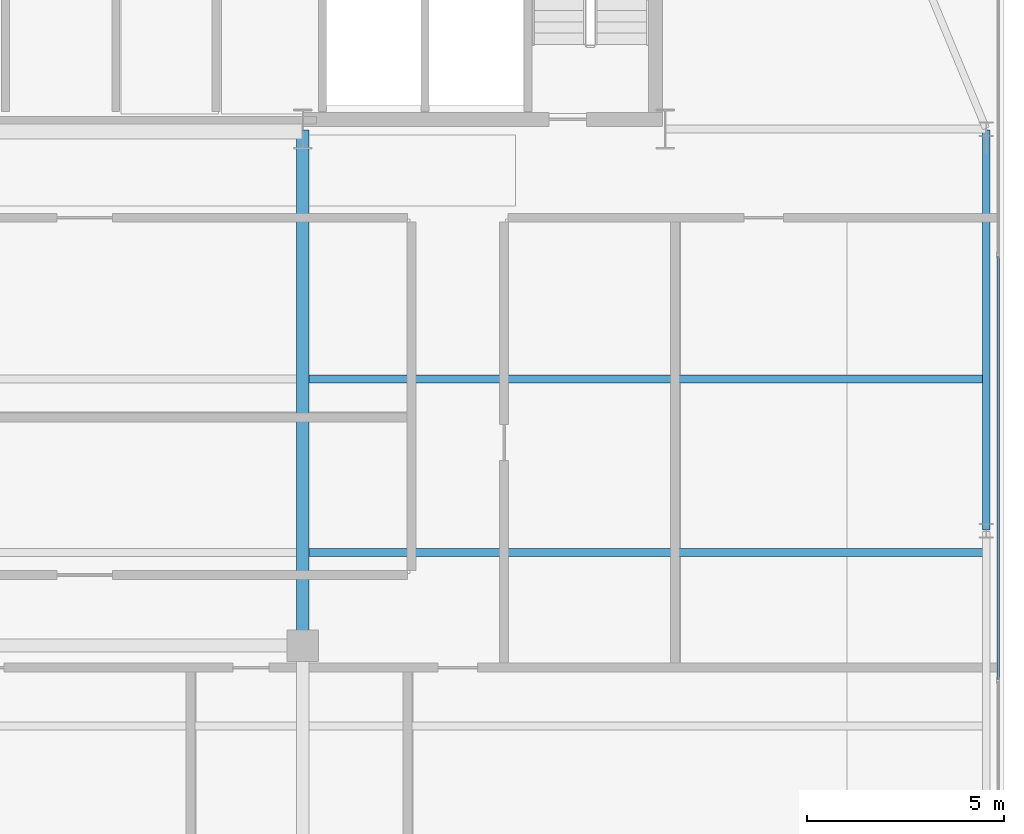
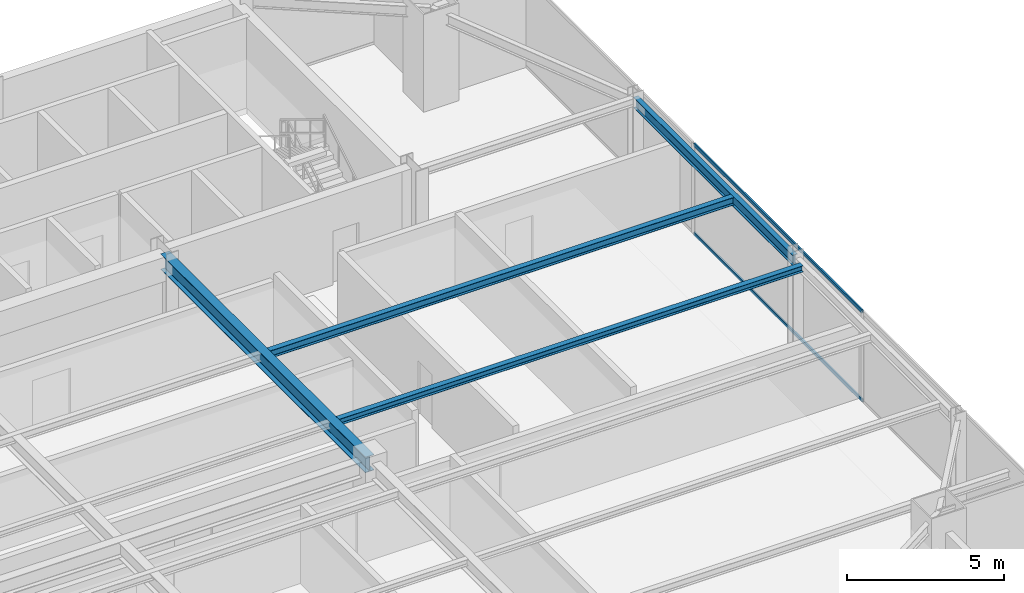
# One storey, part 18 of 29: 4 beams, 2 members, 1 element without a shape of its own.
"""IFC4 building model written with IfcOpenShell, lengths in metres."""

import ifcopenshell
import ifcopenshell.guid

model = None  # the IFC model being written
_history = None  # IfcOwnerHistory: only IFC2X3 demands one
_inside = {}  # id of a spatial element -> (the spatial element, [elements in it])
_under = {}  # id of a project, library or spatial element -> (it, [spatial elements below it])
_declared = {}  # id of a project -> (the project, [libraries it declares])
_typed = {}  # id of a type object -> (the type object, [elements of that type])
_made_of = {}  # id of a material, layer set ... -> (it, [elements and type objects made of it])


def new_model(schema):
    """Start an empty IFC model of exactly this schema.

    Asked for "IFC4X3", IfcOpenShell would pick the latest addendum, in which some entities
    have other attributes; the version numbers below select the first issue.
    IFC2X3 requires an IfcOwnerHistory on every rooted entity: one is made here for all.
    """
    global model, _history
    if schema == "IFC4X3":
        model = ifcopenshell.file(schema_version=(4, 3, 0, 0))
    else:
        model = ifcopenshell.file(schema=schema)
    _inside.clear()
    _under.clear()
    _declared.clear()
    _typed.clear()
    _made_of.clear()
    _history = None
    if model.schema == "IFC2X3":
        org = make("IfcOrganization", Name="unknown")
        user = make(
            "IfcPersonAndOrganization",
            ThePerson=make("IfcPerson", FamilyName="unknown"),
            TheOrganization=org,
        )
        app = make(
            "IfcApplication",
            ApplicationDeveloper=org,
            Version="unknown",
            ApplicationFullName="unknown",
            ApplicationIdentifier="unknown",
        )
        _history = make(
            "IfcOwnerHistory",
            OwningUser=user,
            OwningApplication=app,
            ChangeAction="ADDED",
            CreationDate=0,
        )
    return model


def make(cls, **values):
    """One entity of the class cls with the attributes given. An attribute that is None is left unset."""
    return model.create_entity(
        cls, **{name: value for name, value in values.items() if value is not None}
    )


def rooted(cls, **values):
    """An entity with a GlobalId (a new one), such as an element, a storey or a relation."""
    return make(cls, GlobalId=ifcopenshell.guid.new(), OwnerHistory=_history, **values)


def si_unit(unit_type, name, prefix=None):
    """IfcSIUnit, for example si_unit("LENGTHUNIT", "METRE", prefix="MILLI")."""
    return make("IfcSIUnit", UnitType=unit_type, Prefix=prefix, Name=name)


def assignment(units):
    """IfcUnitAssignment: the units of a project."""
    return None if units is None else make("IfcUnitAssignment", Units=units)


def point(xyz):
    """IfcCartesianPoint."""
    return None if xyz is None else make("IfcCartesianPoint", Coordinates=xyz)


def direction(xyz):
    """IfcDirection."""
    return None if xyz is None else make("IfcDirection", DirectionRatios=xyz)


def frame(location, z_axis=None, x_axis=None):
    """IfcAxis2Placement3D, a coordinate frame: its origin and axes. An axis left out is left unset."""
    return make(
        "IfcAxis2Placement3D",
        Location=point(location),
        Axis=direction(z_axis),
        RefDirection=direction(x_axis),
    )


def frame_2d(location, x_axis=None):
    """IfcAxis2Placement2D, a coordinate frame in the plane: its origin and x axis."""
    return make(
        "IfcAxis2Placement2D", Location=point(location), RefDirection=direction(x_axis)
    )


def origin():
    """The frame at (0, 0, 0) with its axes left unset."""
    return frame((0.0, 0.0, 0.0))


def origin_2d():
    """The frame at (0, 0) in the plane with its x axis left unset."""
    return frame_2d((0.0, 0.0))


def place(relative_to, where):
    """IfcLocalPlacement: puts the frame where relative to a parent placement (None: the world)."""
    return make(
        "IfcLocalPlacement", PlacementRelTo=relative_to, RelativePlacement=where
    )


def context(
    kind, dimensions, precision=None, world=None, true_north=None, identifier=None
):
    """IfcGeometricRepresentationContext, for example the 3D "Model" context."""
    return make(
        "IfcGeometricRepresentationContext",
        ContextIdentifier=identifier,
        ContextType=kind,
        CoordinateSpaceDimension=dimensions,
        Precision=precision,
        WorldCoordinateSystem=world,
        TrueNorth=true_north,
    )


def subcontext(parent, identifier, kind, view, scale=None):
    """IfcGeometricRepresentationSubContext, for example "Body" below "Model"."""
    return make(
        "IfcGeometricRepresentationSubContext",
        ContextIdentifier=identifier,
        ContextType=kind,
        ParentContext=parent,
        TargetScale=scale,
        TargetView=view,
    )


def project(units=None, contexts=None):
    """IfcProject with its units and contexts."""
    return rooted(
        "IfcProject",
        Name="project",
        RepresentationContexts=contexts,
        UnitsInContext=assignment(units),
    )


def spatial(cls, under=None, at=None, **own):
    """A site, building, storey or space (cls), placed at a placement, below another one or the project."""
    s = rooted(cls, ObjectPlacement=at, **own)
    if under is not None:
        _under.setdefault(under.id(), (under, []))[1].append(s)
    return s


def profile(cls, at=None, kind="AREA", **sizes):
    """A parametric profile (cls). Its sizes go by their IFC names, for example OverallWidth=200.0."""
    return make(cls, ProfileType=kind, Position=at, **sizes)


def hollow_rectangle(**sizes):
    """IfcRectangleHollowProfileDef."""
    return profile("IfcRectangleHollowProfileDef", **sizes)


def i_section(**sizes):
    """IfcIShapeProfileDef."""
    return profile("IfcIShapeProfileDef", **sizes)


def extrude(swept, where, along, depth):
    """IfcExtrudedAreaSolid: the profile swept, set in the frame where, extruded along a direction by depth."""
    return make(
        "IfcExtrudedAreaSolid",
        SweptArea=swept,
        Position=where,
        ExtrudedDirection=direction(along),
        Depth=depth,
    )


def shape(context_of_items, identifier, shape_type, items):
    """IfcShapeRepresentation: the items that make up one representation, for example the "Body"."""
    return make(
        "IfcShapeRepresentation",
        ContextOfItems=context_of_items,
        RepresentationIdentifier=identifier,
        RepresentationType=shape_type,
        Items=items,
    )


def source(mapping_origin, context_of_items, identifier, shape_type, items):
    """IfcRepresentationMap: a shape defined once, which mapped items show again and again."""
    return make(
        "IfcRepresentationMap",
        MappingOrigin=mapping_origin,
        MappedRepresentation=shape(context_of_items, identifier, shape_type, items),
    )


def transform(
    local_origin,
    x_axis=None,
    y_axis=None,
    z_axis=None,
    scale=None,
    scale2=None,
    scale3=None,
    uniform=True,
):
    """IfcCartesianTransformationOperator3D, or its non-uniform kind. x_axis, y_axis, z_axis: its Axis1, 2, 3."""
    if uniform:
        return make(
            "IfcCartesianTransformationOperator3D",
            Axis1=direction(x_axis),
            Axis2=direction(y_axis),
            LocalOrigin=point(local_origin),
            Scale=scale,
            Axis3=direction(z_axis),
        )
    return make(
        "IfcCartesianTransformationOperator3DnonUniform",
        Axis1=direction(x_axis),
        Axis2=direction(y_axis),
        LocalOrigin=point(local_origin),
        Scale=scale,
        Axis3=direction(z_axis),
        Scale2=scale2,
        Scale3=scale3,
    )


def mapped(mapping_source, mapping_target):
    """IfcMappedItem: shows the shape of a source again, moved by a transform."""
    return make(
        "IfcMappedItem", MappingSource=mapping_source, MappingTarget=mapping_target
    )


def material(Name=None, Category=None):
    """IfcMaterial."""
    return make("IfcMaterial", Name=Name, Category=Category)


def layer(
    of_material, thickness, ventilated=None, Name=None, Category=None, Priority=None
):
    """IfcMaterialLayer: one layer of a wall or slab, of a material (None: an air gap)."""
    return make(
        "IfcMaterialLayer",
        Material=of_material,
        LayerThickness=thickness,
        IsVentilated=ventilated,
        Name=Name,
        Category=Category,
        Priority=Priority,
    )


def layer_set(layers, Name=None):
    """IfcMaterialLayerSet."""
    return make("IfcMaterialLayerSet", MaterialLayers=layers, LayerSetName=Name)


def material_profile(
    of_material, cross_section, Name=None, Category=None, Priority=None
):
    """IfcMaterialProfile: a cross section and its material."""
    return make(
        "IfcMaterialProfile",
        Name=Name,
        Material=of_material,
        Profile=cross_section,
        Priority=Priority,
        Category=Category,
    )


def profile_set(profiles, Name=None, composite=None):
    """IfcMaterialProfileSet."""
    return make(
        "IfcMaterialProfileSet",
        Name=Name,
        MaterialProfiles=profiles,
        CompositeProfile=composite,
    )


def made_of(thing, what):
    """Note that an element or type object is made of a material, layer set ...; save() writes the relation."""
    if what is not None:
        _made_of.setdefault(what.id(), (what, []))[1].append(thing)
    return thing


def type_object(cls, material=None, **own):
    """A type object (cls), such as IfcWallType, which elements share."""
    return made_of(rooted(cls, **own), material)


def type_shapes(of_type, sources):
    """Give a type object the sources (RepresentationMaps) that its elements show as mapped items."""
    of_type.RepresentationMaps = sources


def element(
    cls,
    number,
    at=None,
    inside=None,
    cuts=None,
    type_object=None,
    material=None,
    context=None,
    identifier="Body",
    shape_type=None,
    held_by="IfcProductDefinitionShape",
    body=None,
    shapes=None,
    **own,
):
    """One element of the class cls, such as IfcWall. Its Tag is "e" and its number.

    at: its placement. inside: the storey or other place that contains it. cuts: it is an
    opening in that element (IfcRelVoidsElement). A single representation is given by context,
    identifier, shape_type and body (its items); several are given by shapes. held_by: the class
    of the entity that holds the representations. save() writes the other relations.
    """
    e = rooted(cls, Tag="e%d" % number, ObjectPlacement=at, **own)
    if body is not None:
        shapes = [shape(context, identifier, shape_type, body)]
    if shapes is not None:
        e.Representation = make(held_by, Representations=shapes)
    if inside is not None:
        _inside.setdefault(inside.id(), (inside, []))[1].append(e)
    if cuts is not None:
        rooted(
            "IfcRelVoidsElement", RelatingBuildingElement=cuts, RelatedOpeningElement=e
        )
    if type_object is not None:
        _typed.setdefault(type_object.id(), (type_object, []))[1].append(e)
    return made_of(e, material)


def aggregate(whole, parts):
    """IfcRelAggregates: a whole, such as a stair, and the parts it consists of."""
    return rooted("IfcRelAggregates", RelatingObject=whole, RelatedObjects=parts)


def save(model, path):
    """Write the relations noted so far, then the file.

    IfcRelAggregates (storeys below a building ...), IfcRelContainedInSpatialStructure (elements
    in a storey), IfcRelDefinesByType, IfcRelAssociatesMaterial and IfcRelDeclares: one each for
    every whole, place, type object, material and project.
    """
    for whole, parts in _under.values():
        aggregate(whole, parts)
    for where, things in _inside.values():
        rooted(
            "IfcRelContainedInSpatialStructure",
            RelatedElements=things,
            RelatingStructure=where,
        )
    for kind, things in _typed.values():
        rooted("IfcRelDefinesByType", RelatedObjects=things, RelatingType=kind)
    for what, things in _made_of.values():
        rooted("IfcRelAssociatesMaterial", RelatedObjects=things, RelatingMaterial=what)
    for by, libraries in _declared.values():
        rooted("IfcRelDeclares", RelatingContext=by, RelatedDefinitions=libraries)
    model.write(path)


model = new_model("IFC4")

# Units and contexts
model_context = context("Model", 3, precision=1e-05, world=origin(), true_north=direction((0.0, 1.0)))
body_context = subcontext(model_context, "Body", "Model", "MODEL_VIEW")
ifc_project = project(units=[si_unit("LENGTHUNIT", "METRE"), si_unit("AREAUNIT", "SQUARE_METRE"), si_unit("VOLUMEUNIT", "CUBIC_METRE"), si_unit("PLANEANGLEUNIT", "RADIAN"), si_unit("MASSUNIT", "GRAM", prefix="KILO")], contexts=[model_context])

# Site, building, storey
site_placement = place(None, origin())
site = spatial("IfcSite", under=ifc_project, at=site_placement, CompositionType="ELEMENT")
building_placement = place(site_placement, origin())
building = spatial("IfcBuilding", under=site, at=building_placement, Name="Varnel Quay Broadcast Tower", CompositionType="ELEMENT")
storey_placement = place(building_placement, frame((0.0, 0.0, 187.60009765625)))
storey = spatial("IfcBuildingStorey", under=building, at=storey_placement, Name="L46", CompositionType="ELEMENT", Elevation=187.60009765625)

# Beams
ifc_material_1 = material(Name="Structural Steel CSA G40.21 350W", Category="steel")
ifc_material_profile_1 = material_profile(ifc_material_1, i_section(OverallWidth=0.180908203125, OverallDepth=0.4169921875, WebThickness=0.010986328125, FlangeThickness=0.018310546875, FilletRadius=0.011962890625, at=origin_2d()), Name="W410X85")
ifc_profile_set_1 = profile_set([ifc_material_profile_1], Name="Structural Steel CSA G40.21 350W")
beam_type_1 = type_object("IfcBeamType", Name="Beam_W410X85", PredefinedType="SPANDREL", material=ifc_profile_set_1)
shared_shape_1 = source(origin(), body_context, "Body", "SweptSolid", [
    extrude(i_section(OverallWidth=0.180908203125, OverallDepth=0.4169921875, WebThickness=0.010986328125, FlangeThickness=0.018310546875, FilletRadius=0.011962890625, at=origin_2d()), origin(), (0.0, 0.0, 1.0), 10.16015625),
])
type_shapes(beam_type_1, [shared_shape_1])
beam_1_placement = place(storey_placement, frame((60.550048828125, 25.419921875, 3.3115234375), z_axis=(0.0, 1.0, 0.0), x_axis=(-1.0, 0.0, 0.0)))
element("IfcBeam", 1, at=beam_1_placement, inside=storey, type_object=beam_type_1, Name="L46 East Spandrel TC-E2-TC-E3", PredefinedType="SPANDREL", context=body_context, shape_type="MappedRepresentation", body=[
    mapped(shared_shape_1, transform((0.0, 0.0, 0.0), x_axis=(1.0, 0.0, 0.0), y_axis=(0.0, 1.0, 0.0), z_axis=(0.0, 0.0, 1.0), scale=1.0)),
])
ifc_material_profile_2 = material_profile(ifc_material_1, i_section(OverallWidth=0.324951171875, OverallDepth=0.615966796875, WebThickness=0.013916015625, FlangeThickness=0.021484375, FilletRadius=0.01611328125, at=origin_2d()), Name="W610X174")
ifc_profile_set_2 = profile_set([ifc_material_profile_2], Name="Structural Steel CSA G40.21 350W")
beam_type_2 = type_object("IfcBeamType", Name="Girder_W610X174", PredefinedType="BEAM", material=ifc_profile_set_2)
shared_shape_2 = source(origin(), body_context, "Body", "SweptSolid", [
    extrude(i_section(OverallWidth=0.324951171875, OverallDepth=0.615966796875, WebThickness=0.013916015625, FlangeThickness=0.021484375, FilletRadius=0.01611328125, at=origin_2d()), origin(), (0.0, 0.0, 1.0), 13.070068359375),
])
type_shapes(beam_type_2, [shared_shape_2])
beam_2_placement = place(storey_placement, frame((43.199951171875, 22.510009765625, 3.2119140625), z_axis=(0.0, 1.0, 0.0), x_axis=(-1.0, 0.0, 0.0)))
element("IfcBeam", 2, at=beam_2_placement, inside=storey, type_object=beam_type_2, Name="L46 Primary Girder IC-02-CC-S4", PredefinedType="BEAM", context=body_context, shape_type="MappedRepresentation", body=[
    mapped(shared_shape_2, transform((0.0, 0.0, 0.0), x_axis=(1.0, 0.0, 0.0), y_axis=(0.0, 1.0, 0.0), z_axis=(0.0, 0.0, 1.0), scale=1.0)),
])
ifc_material_profile_3 = material_profile(ifc_material_1, i_section(OverallWidth=0.202880859375, OverallDepth=0.302978515625, WebThickness=0.007568359375, FlangeThickness=0.01318359375, FilletRadius=0.011962890625, at=origin_2d()), Name="W310X60")
ifc_profile_set_3 = profile_set([ifc_material_profile_3], Name="Structural Steel CSA G40.21 350W")
beam_type_3 = type_object("IfcBeamType", Name="Beam_W310X60", PredefinedType="JOIST", material=ifc_profile_set_3)
shared_shape_3 = source(origin(), body_context, "Body", "SweptSolid", [
    extrude(i_section(OverallWidth=0.202880859375, OverallDepth=0.302978515625, WebThickness=0.007568359375, FlangeThickness=0.01318359375, FilletRadius=0.011962890625, at=origin_2d()), origin(), (0.0, 0.0, 1.0), 17.107177734375),
])
type_shapes(beam_type_3, [shared_shape_3])
beam_3_placement = place(storey_placement, frame((43.357421875, 29.25, 3.368408203125), z_axis=(1.0, 0.0, 0.0), x_axis=(0.0, 1.0, 0.0)))
element("IfcBeam", 3, at=beam_3_placement, inside=storey, type_object=beam_type_3, Name="L46 East Floor Joist 5", PredefinedType="JOIST", context=body_context, shape_type="MappedRepresentation", body=[
    mapped(shared_shape_3, transform((0.0, 0.0, 0.0), x_axis=(1.0, 0.0, 0.0), y_axis=(0.0, 1.0, 0.0), z_axis=(0.0, 0.0, 1.0), scale=1.0)),
])
ifc_material_profile_4 = material_profile(ifc_material_1, i_section(OverallWidth=0.201904296875, OverallDepth=0.2470703125, WebThickness=0.00732421875, FlangeThickness=0.010986328125, FilletRadius=0.010986328125, at=origin_2d()), Name="W250X49")
ifc_profile_set_4 = profile_set([ifc_material_profile_4], Name="Structural Steel CSA G40.21 350W")
beam_type_4 = type_object("IfcBeamType", Name="Beam_W250X49", PredefinedType="JOIST", material=ifc_profile_set_4)
shared_shape_4 = source(origin(), body_context, "Body", "SweptSolid", [
    extrude(i_section(OverallWidth=0.201904296875, OverallDepth=0.2470703125, WebThickness=0.00732421875, FlangeThickness=0.010986328125, FilletRadius=0.010986328125, at=origin_2d()), origin(), (0.0, 0.0, 1.0), 17.107177734375),
])
type_shapes(beam_type_4, [shared_shape_4])
beam_4_placement = place(storey_placement, frame((43.357421875, 24.85009765625, 3.396484375), z_axis=(1.0, 0.0, 0.0), x_axis=(0.0, 1.0, 0.0)))
element("IfcBeam", 4, at=beam_4_placement, inside=storey, type_object=beam_type_4, Name="L46 East Floor Joist 4", PredefinedType="JOIST", context=body_context, shape_type="MappedRepresentation", body=[
    mapped(shared_shape_4, transform((0.0, 0.0, 0.0), x_axis=(1.0, 0.0, 0.0), y_axis=(0.0, 1.0, 0.0), z_axis=(0.0, 0.0, 1.0), scale=1.0)),
])

# Curtain wall, members
ifc_material_2 = material(Name="Anodised Bronze Aluminium 6063-T6", Category="aluminium")
ifc_layer = layer(ifc_material_2, 0.18994140625, Name="Anodised Bronze Aluminium 6063-T6")
ifc_layer_set = layer_set([ifc_layer], Name="Anodised Bronze Aluminium 6063-T6")
curtain_wall_type = type_object("IfcCurtainWallType", Name="CW_UpperTower", PredefinedType="NOTDEFINED", material=ifc_layer_set)
curtain_wall_placement = place(storey_placement, origin())
curtain_wall = element("IfcCurtainWall", 5, at=curtain_wall_placement, inside=storey, type_object=curtain_wall_type, Name="L46 East Unitised Curtain Wall", PredefinedType="NOTDEFINED")
ifc_material_profile_5 = material_profile(ifc_material_2, hollow_rectangle(XDim=0.06005859375, YDim=0.125, WallThickness=0.0029296875, at=origin_2d()), Name="ALU60X125X3")
ifc_profile_set_5 = profile_set([ifc_material_profile_5], Name="Anodised Bronze Aluminium 6063-T6")
member_type = type_object("IfcMemberType", Name="Tran_CWS-03", PredefinedType="USERDEFINED", material=ifc_profile_set_5)
shared_shape_5 = source(origin(), body_context, "Body", "SweptSolid", [
    extrude(hollow_rectangle(XDim=0.06005859375, YDim=0.125, WallThickness=0.0029296875, at=origin_2d()), origin(), (0.0, 0.0, 1.0), 10.73486328125),
])
type_shapes(member_type, [shared_shape_5])
member_1_placement = place(storey_placement, frame((60.85009765625, 21.632568359375, 0.02978515625), z_axis=(0.0, 1.0, 0.0), x_axis=(-1.0, 0.0, 0.0)))
member_1 = element("IfcMember", 6, at=member_1_placement, type_object=member_type, Name="CWS-03 transom 2.1", ObjectType="TRANSOM", PredefinedType="USERDEFINED", context=body_context, shape_type="MappedRepresentation", body=[
    mapped(shared_shape_5, transform((0.0, 0.0, 0.0), x_axis=(1.0, 0.0, 0.0), y_axis=(0.0, 1.0, 0.0), z_axis=(0.0, 0.0, 1.0), scale=1.0)),
])
member_2_placement = place(storey_placement, frame((60.85009765625, 21.632568359375, 3.489990234375), z_axis=(0.0, 1.0, 0.0), x_axis=(-1.0, 0.0, 0.0)))
member_2 = element("IfcMember", 7, at=member_2_placement, type_object=member_type, Name="CWS-03 transom 2.2", ObjectType="TRANSOM", PredefinedType="USERDEFINED", context=body_context, shape_type="MappedRepresentation", body=[
    mapped(shared_shape_5, transform((0.0, 0.0, 0.0), x_axis=(1.0, 0.0, 0.0), y_axis=(0.0, 1.0, 0.0), z_axis=(0.0, 0.0, 1.0), scale=1.0)),
])
aggregate(curtain_wall, [member_1, member_2])

save(model, "model.ifc")
